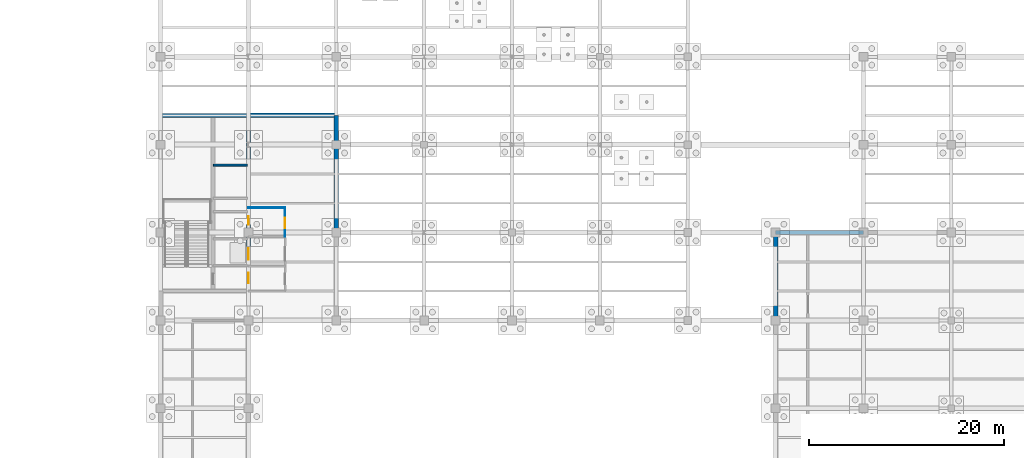
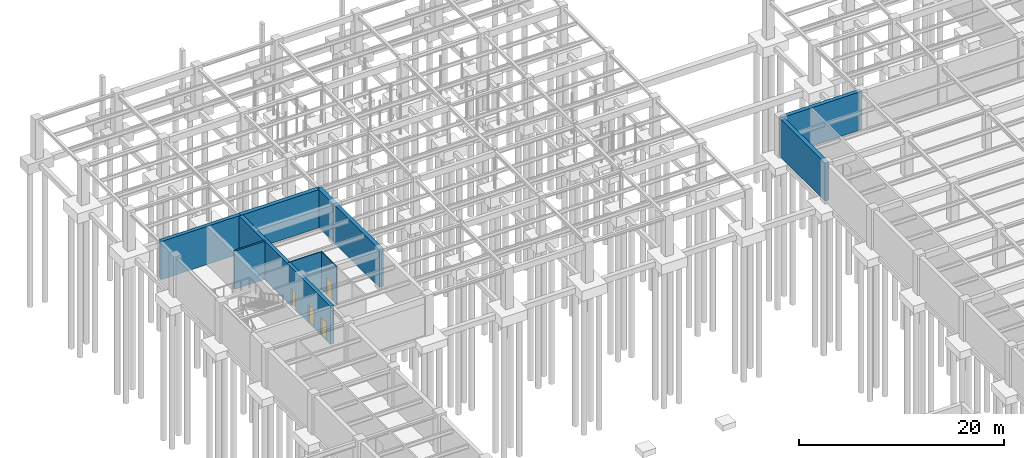
# One storey, part 43 of 49: 10 walls, 4 doors, 4 openings.
"""IFC4 building model written with IfcOpenShell, lengths in metres."""

from ifc_helpers import new_model, si_unit, direction, frame, frame_2d, origin, place, context, subcontext, project, spatial, rectangle, extrude, material, layer, layer_set, type_object, element, fill, save


model = new_model("IFC4")

# Units and contexts
model_context = context("Model", 3, precision=1e-05, world=origin(), true_north=direction((0.0, 1.0)))
body_context = subcontext(model_context, "Body", "Model", "MODEL_VIEW")
ifc_project = project(units=[si_unit("LENGTHUNIT", "METRE"), si_unit("AREAUNIT", "SQUARE_METRE"), si_unit("VOLUMEUNIT", "CUBIC_METRE"), si_unit("PLANEANGLEUNIT", "RADIAN"), si_unit("MASSUNIT", "GRAM", prefix="KILO")], contexts=[model_context])

# Site, building, storey
site_placement = place(None, origin())
site = spatial("IfcSite", under=ifc_project, at=site_placement, CompositionType="ELEMENT")
building_placement = place(site_placement, origin())
building = spatial("IfcBuilding", under=site, at=building_placement, Name="Lykobir Media Centre", CompositionType="ELEMENT")
storey_placement = place(building_placement, frame((0.0, 0.0, -4.800048828125)))
storey = spatial("IfcBuildingStorey", under=building, at=storey_placement, Name="B1", CompositionType="ELEMENT", Elevation=-4.800048828125)

# Walls
ifc_material_1 = material(Name="Concrete C35/45", Category="concrete")
ifc_layer_1 = layer(ifc_material_1, 0.449951171875, Name="Concrete C35/45")
ifc_layer_set_1 = layer_set([ifc_layer_1], Name="Concrete C35/45")
wall_type_1 = type_object("IfcWallType", Name="BW-RET-450", PredefinedType="USERDEFINED", material=ifc_layer_set_1)
for number, where, z_axis, x_axis, name in (
    (1, (99.0, 72.0, 0.0), (0.0, 0.0, 1.0), (-1.0, 0.0, 0.0), "Basement retaining wall WALL-B1-0011"),
    (2, (90.0, 72.0, 0.0), (0.0, 0.0, 1.0), (0.0, -1.0, 0.0), "Basement retaining wall WALL-B1-0021"),
    (3, (45.0, 72.0, 0.0), (0.0, 0.0, 1.0), (0.0, 1.0, 0.0), "Basement retaining wall WALL-B1-0043"),
):
    element("IfcWall", number, at=place(storey_placement, frame(where, z_axis=z_axis, x_axis=x_axis)), inside=storey, type_object=wall_type_1, Name=name, ObjectType="RETAININGWALL", PredefinedType="USERDEFINED", context=body_context, shape_type="SweptSolid", body=[
        extrude(rectangle(XDim=9.0, YDim=0.449951171875, at=frame_2d((4.5, 0.0))), origin(), (0.0, 0.0, 1.0), 4.550048828125),
    ])
wall_1_placement = place(storey_placement, frame((45.0, 81.0, 0.0), z_axis=(0.0, 0.0, 1.0), x_axis=(0.0, 1.0, 0.0)))
element("IfcWall", 4, at=wall_1_placement, inside=storey, type_object=wall_type_1, Name="Basement retaining wall WALL-B1-0044", ObjectType="RETAININGWALL", PredefinedType="USERDEFINED", context=body_context, shape_type="SweptSolid", body=[
    extrude(rectangle(XDim=3.0, YDim=0.449951171875, at=frame_2d((1.5, 0.0))), origin(), (0.0, 0.0, 1.0), 4.550048828125),
])
wall_2_placement = place(storey_placement, frame((45.0, 84.0, 0.0), z_axis=(0.0, 0.0, 1.0), x_axis=(-1.0, 0.0, 0.0)))
element("IfcWall", 5, at=wall_2_placement, inside=storey, type_object=wall_type_1, Name="Basement retaining wall WALL-B1-0045", ObjectType="RETAININGWALL", PredefinedType="USERDEFINED", context=body_context, shape_type="SweptSolid", body=[
    extrude(rectangle(XDim=9.0, YDim=0.449951171875, at=frame_2d((4.5, 0.0))), origin(), (0.0, 0.0, 1.0), 4.550048828125),
])
ifc_material_2 = material(Name="Concrete C30/37", Category="concrete")
ifc_layer_2 = layer(ifc_material_2, 0.199951171875, Name="Concrete C30/37")
ifc_layer_set_2 = layer_set([ifc_layer_2], Name="Concrete C30/37")
wall_type_2 = type_object("IfcWallType", Name="IW-SHAFT-200", PredefinedType="PARTITIONING", material=ifc_layer_set_2)
wall_3_placement = place(storey_placement, frame((32.39990234375, 78.89990234375, 0.0), z_axis=(0.0, 0.0, 1.0), x_axis=(1.0, 0.0, 0.0)))
element("IfcWall", 6, at=wall_3_placement, inside=storey, type_object=wall_type_2, Name="Wall IWALL-B1-0352", PredefinedType="PARTITIONING", context=body_context, shape_type="SweptSolid", body=[
    extrude(rectangle(XDim=3.5, YDim=0.199951171875, at=frame_2d((1.75, 0.0))), origin(), (0.0, 0.0, 1.0), 4.550048828125),
])

# Wall, opening, door
ifc_material_3 = material(Name="Acoustic Gypsum Board", Category="gypsum")
ifc_layer_3 = layer(ifc_material_3, 0.094970703125, Name="Acoustic Gypsum Board")
ifc_layer_set_3 = layer_set([ifc_layer_3], Name="Acoustic Gypsum Board")
wall_type_3 = type_object("IfcWallType", Name="IW-WC-095", PredefinedType="PARTITIONING", material=ifc_layer_set_3)
wall_4_placement = place(storey_placement, frame((39.75, 71.550048828125, 0.0), z_axis=(0.0, 0.0, 1.0), x_axis=(0.0, 1.0, 0.0)))
wall_4 = element("IfcWall", 7, at=wall_4_placement, inside=storey, type_object=wall_type_3, Name="Wall IWALL-B1-0357", PredefinedType="PARTITIONING", context=body_context, shape_type="SweptSolid", body=[
    extrude(rectangle(XDim=3.0, YDim=0.094970703125, at=frame_2d((1.5, 0.0))), origin(), (0.0, 0.0, 1.0), 4.550048828125),
])
opening_1_placement = place(wall_4_placement, frame((0.89990234375, 0.0, 0.0)))
opening_1 = element("IfcOpeningElement", 8, at=opening_1_placement, cuts=wall_4, Name="Opening D-B1-WCA3", PredefinedType="OPENING", context=body_context, shape_type="SweptSolid", body=[
    extrude(rectangle(XDim=1.050048828125, YDim=2.1298828125, at=frame_2d((0.52490234375, 1.06494140625))), frame((0.0, 0.057373046875, 0.0), z_axis=(0.0, -1.0, 0.0), x_axis=(1.0, 0.0, 0.0)), (0.0, 0.0, 1.0), 0.114990234375),
])
ifc_material_4 = material(Name="Acoustic Timber Panelling", Category="wood")
door_type_1 = type_object("IfcDoorType", Name="ID-1050x2130", OperationType="NOTDEFINED", PredefinedType="DOOR", material=ifc_material_4)
door_1_placement = place(opening_1_placement, origin())
door_1 = element("IfcDoor", 9, at=door_1_placement, inside=storey, type_object=door_type_1, Name="Door D-B1-WCA3", OperationType="SINGLE_SWING_RIGHT", OverallHeight=2.1298828125, OverallWidth=1.050048828125, PredefinedType="DOOR", context=body_context, shape_type="SweptSolid", body=[
    extrude(rectangle(XDim=1.050048828125, YDim=2.1298828125, at=frame_2d((0.52490234375, 1.06494140625))), frame((0.0, 0.02490234375, 0.0), z_axis=(0.0, -1.0, 0.0), x_axis=(1.0, 0.0, 0.0)), (0.0, 0.0, 1.0), 0.050048828125),
])
fill(opening_1, door_1)

# Wall
wall_5_placement = place(storey_placement, frame((36.0, 74.550048828125, 0.0), z_axis=(0.0, 0.0, 1.0), x_axis=(1.0, 0.0, 0.0)))
element("IfcWall", 10, at=wall_5_placement, inside=storey, type_object=wall_type_3, Name="Wall IWALL-B1-0358", PredefinedType="PARTITIONING", context=body_context, shape_type="SweptSolid", body=[
    extrude(rectangle(XDim=3.75, YDim=0.094970703125, at=frame_2d((1.875, 0.0))), origin(), (0.0, 0.0, 1.0), 4.550048828125),
])

# Wall, openings, doors
ifc_material_5 = material(Name="Concrete C40/50", Category="concrete")
ifc_layer_4 = layer(ifc_material_5, 0.39990234375, Name="Concrete C40/50")
ifc_layer_set_4 = layer_set([ifc_layer_4], Name="Concrete C40/50")
wall_type_4 = type_object("IfcWallType", Name="SW-CORE-400", PredefinedType="SHEAR", material=ifc_layer_set_4)
wall_6_placement = place(storey_placement, frame((36.0, 66.0, 0.0), z_axis=(0.0, 0.0, 1.0), x_axis=(0.0, 1.0, 0.0)))
wall_6 = element("IfcWall", 11, at=wall_6_placement, inside=storey, type_object=wall_type_4, Name="Wall IWALL-B1-0344", PredefinedType="SHEAR", context=body_context, shape_type="SweptSolid", body=[
    extrude(rectangle(XDim=18.0, YDim=0.39990234375, at=frame_2d((9.0, 0.0))), origin(), (0.0, 0.0, 1.0), 4.550048828125),
])
opening_2_placement = place(wall_6_placement, frame((0.800048828125, 0.0, 0.0)))
opening_2 = element("IfcOpeningElement", 12, at=opening_2_placement, cuts=wall_6, Name="Opening D-B1-C3VB", PredefinedType="OPENING", context=body_context, shape_type="SweptSolid", body=[
    extrude(rectangle(XDim=1.10009765625, YDim=2.159912109375, at=frame_2d((0.550048828125, 1.080078125))), frame((0.0, 0.2099609375, 0.0), z_axis=(0.0, -1.0, 0.0), x_axis=(1.0, 0.0, 0.0)), (0.0, 0.0, 1.0), 0.419921875),
])
opening_3_placement = place(wall_6_placement, frame((3.199951171875, 0.0, 0.0)))
opening_3 = element("IfcOpeningElement", 13, at=opening_3_placement, cuts=wall_6, Name="Opening LD-B1-PL-3", PredefinedType="OPENING", context=body_context, shape_type="SweptSolid", body=[
    extrude(rectangle(XDim=1.199951171875, YDim=2.199951171875, at=frame_2d((0.60009765625, 1.10009765625))), frame((0.0, 0.2099609375, 0.0), z_axis=(0.0, -1.0, 0.0), x_axis=(1.0, 0.0, 0.0)), (0.0, 0.0, 1.0), 0.419921875),
])
opening_4_placement = place(wall_6_placement, frame((6.800048828125, 0.0, 0.0)))
opening_4 = element("IfcOpeningElement", 14, at=opening_4_placement, cuts=wall_6, Name="Opening D-B1-C3RS", PredefinedType="OPENING", context=body_context, shape_type="SweptSolid", body=[
    extrude(rectangle(XDim=0.85009765625, YDim=2.10009765625, at=frame_2d((0.425048828125, 1.050048828125))), frame((0.0, 0.2099609375, 0.0), z_axis=(0.0, -1.0, 0.0), x_axis=(1.0, 0.0, 0.0)), (0.0, 0.0, 1.0), 0.419921875),
])
ifc_material_6 = material(Name="Anodized Aluminium AW-6060", Category="aluminium")
door_type_2 = type_object("IfcDoorType", Name="FD-0850x2100", OperationType="NOTDEFINED", PredefinedType="DOOR", material=ifc_material_6)
door_2_placement = place(opening_4_placement, origin())
door_2 = element("IfcDoor", 15, at=door_2_placement, inside=storey, type_object=door_type_2, Name="Riser access door C3 B1", OperationType="SINGLE_SWING_RIGHT", OverallHeight=2.10009765625, OverallWidth=0.85009765625, PredefinedType="DOOR", context=body_context, shape_type="SweptSolid", body=[
    extrude(rectangle(XDim=0.85009765625, YDim=2.10009765625, at=frame_2d((0.425048828125, 1.050048828125))), frame((0.0, 0.02490234375, 0.0), z_axis=(0.0, -1.0, 0.0), x_axis=(1.0, 0.0, 0.0)), (0.0, 0.0, 1.0), 0.050048828125),
])
fill(opening_4, door_2)
door_type_3 = type_object("IfcDoorType", Name="FD-1100x2160", OperationType="NOTDEFINED", PredefinedType="DOOR", material=ifc_material_4)
door_3_placement = place(opening_2_placement, origin())
door_3 = element("IfcDoor", 16, at=door_3_placement, inside=storey, type_object=door_type_3, Name="Door D-B1-C3VB", OperationType="SINGLE_SWING_LEFT", OverallHeight=2.159912109375, OverallWidth=1.10009765625, PredefinedType="DOOR", context=body_context, shape_type="SweptSolid", body=[
    extrude(rectangle(XDim=1.10009765625, YDim=2.159912109375, at=frame_2d((0.550048828125, 1.080078125))), frame((0.0, 0.02490234375, 0.0), z_axis=(0.0, -1.0, 0.0), x_axis=(1.0, 0.0, 0.0)), (0.0, 0.0, 1.0), 0.050048828125),
])
fill(opening_2, door_3)
door_type_4 = type_object("IfcDoorType", Name="LD-1200x2200", OperationType="NOTDEFINED", PredefinedType="DOOR", material=ifc_material_6)
door_4_placement = place(opening_3_placement, origin())
door_4 = element("IfcDoor", 17, at=door_4_placement, inside=storey, type_object=door_type_4, Name="Lift landing door PL-3 B1", OperationType="SLIDING_TO_LEFT", OverallHeight=2.199951171875, OverallWidth=1.199951171875, PredefinedType="DOOR", context=body_context, shape_type="SweptSolid", body=[
    extrude(rectangle(XDim=1.199951171875, YDim=2.199951171875, at=frame_2d((0.60009765625, 1.10009765625))), frame((0.0, 0.02490234375, 0.0), z_axis=(0.0, -1.0, 0.0), x_axis=(1.0, 0.0, 0.0)), (0.0, 0.0, 1.0), 0.050048828125),
])
fill(opening_3, door_4)

# Wall
wall_7_placement = place(storey_placement, frame((36.0, 84.0, 0.0), z_axis=(0.0, 0.0, 1.0), x_axis=(-1.0, 0.0, 0.0)))
element("IfcWall", 18, at=wall_7_placement, inside=storey, type_object=wall_type_4, Name="Wall IWALL-B1-0345", PredefinedType="SHEAR", context=body_context, shape_type="SweptSolid", body=[
    extrude(rectangle(XDim=9.0, YDim=0.39990234375, at=frame_2d((4.5, 0.0))), origin(), (0.0, 0.0, 1.0), 4.550048828125),
])

save(model, "model.ifc")
